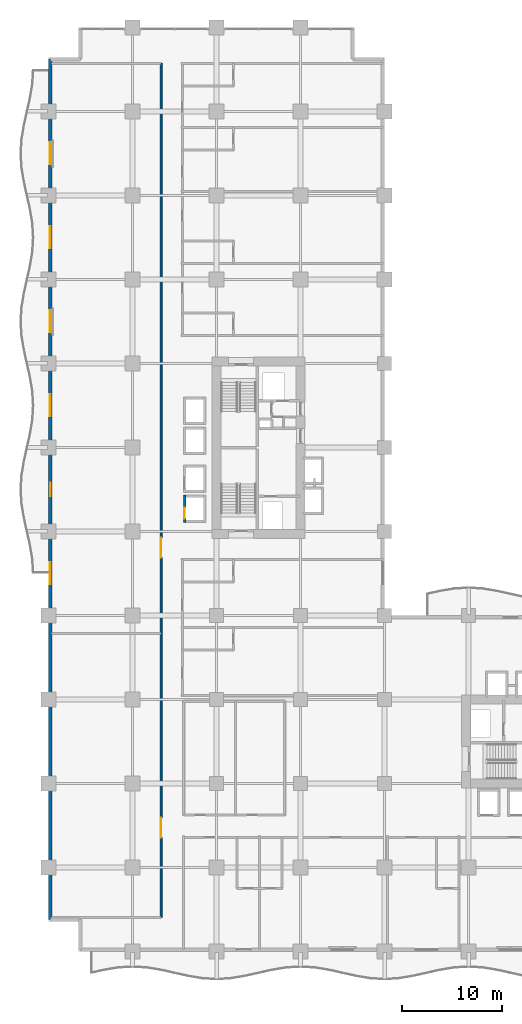
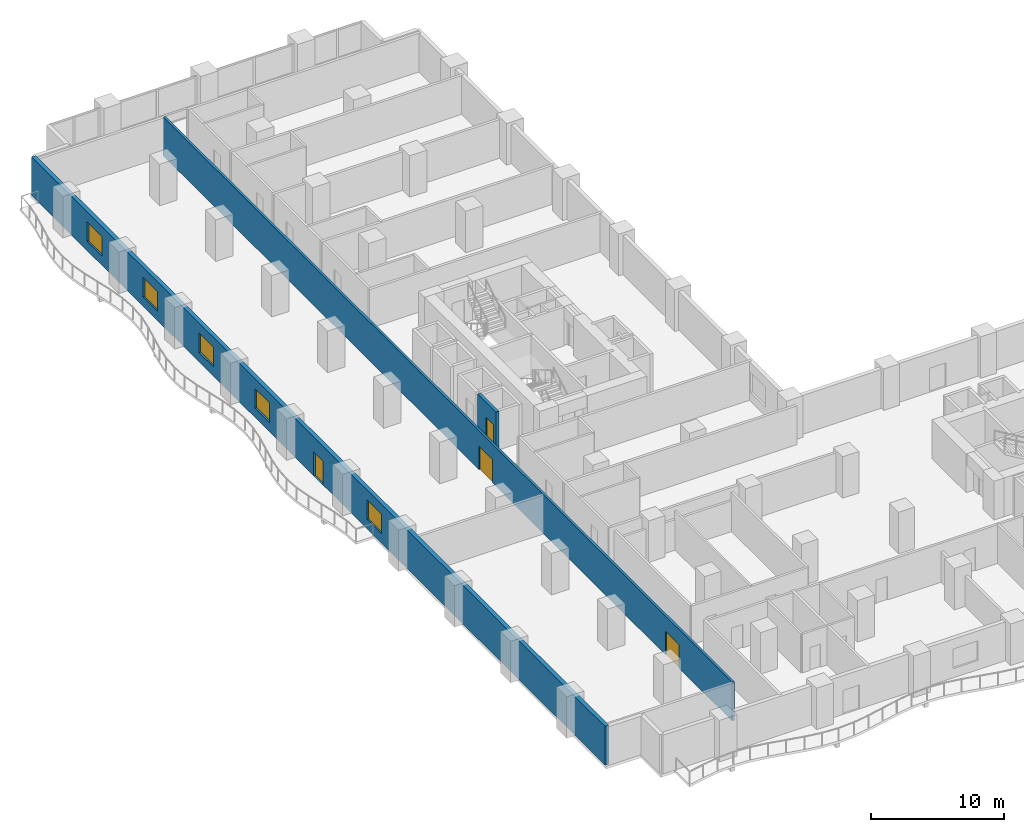
# One storey, part 11 of 22: 5 windows, 4 doors, 3 walls, 9 openings.
"""IFC4 building model written with IfcOpenShell, lengths in metres."""

from ifc_helpers import new_model, si_unit, direction, frame, frame_2d, origin, place, context, subcontext, project, spatial, rectangle, extrude, material, layer, layer_set, type_object, element, fill, save


model = new_model("IFC4")

# Units and contexts
model_context = context("Model", 3, precision=1e-05, world=origin(), true_north=direction((0.0, 1.0)))
body_context = subcontext(model_context, "Body", "Model", "MODEL_VIEW")
ifc_project = project(units=[si_unit("LENGTHUNIT", "METRE"), si_unit("AREAUNIT", "SQUARE_METRE"), si_unit("VOLUMEUNIT", "CUBIC_METRE"), si_unit("PLANEANGLEUNIT", "RADIAN"), si_unit("MASSUNIT", "GRAM", prefix="KILO")], contexts=[model_context])

# Site, building, storey
site_placement = place(None, origin())
site = spatial("IfcSite", under=ifc_project, at=site_placement, CompositionType="ELEMENT")
building_placement = place(site_placement, origin())
building = spatial("IfcBuilding", under=site, at=building_placement, Name="Koriwani Terraces Tower", CompositionType="ELEMENT")
storey_placement = place(building_placement, frame((0.0, 0.0, 62.39990234375)))
storey = spatial("IfcBuildingStorey", under=building, at=storey_placement, Name="L14", CompositionType="ELEMENT", Elevation=62.39990234375)

# Wall, openings, doors
ifc_material_1 = material(Name="Autoclaved Cellular Concrete Blockwork", Category="masonry")
ifc_layer_1 = layer(ifc_material_1, 0.199951171875, Name="Autoclaved Cellular Concrete Blockwork")
ifc_layer_set_1 = layer_set([ifc_layer_1], Name="Autoclaved Cellular Concrete Blockwork")
wall_type_1 = type_object("IfcWallType", Name="WALL_CORRIDOR_200", PredefinedType="PARTITIONING", material=ifc_layer_set_1)
wall_1_placement = place(storey_placement, frame((11.25, 3.39990234375, 0.0), z_axis=(0.0, 0.0, 1.0), x_axis=(0.0, 1.0, 0.0)))
wall_1 = element("IfcWall", 1, at=wall_1_placement, inside=storey, type_object=wall_type_1, Name="L14 Interior Wall WZ1NWCL-L14", PredefinedType="PARTITIONING", context=body_context, shape_type="SweptSolid", body=[
    extrude(rectangle(XDim=85.400146484375, YDim=0.199951171875, at=frame_2d((42.7001953125, 0.0))), origin(), (0.0, 0.0, 1.0), 3.550048828125),
])
opening_1_placement = place(wall_1_placement, frame((8.0, 0.0, 0.0)))
opening_1 = element("IfcOpeningElement", 2, at=opening_1_placement, cuts=wall_1, Name="Opening D-02", PredefinedType="OPENING", context=body_context, shape_type="SweptSolid", body=[
    extrude(rectangle(XDim=2.0, YDim=2.14990234375, at=frame_2d((1.0, 1.074951171875))), frame((0.0, 0.10986328125, 0.0), z_axis=(0.0, -1.0, 0.0), x_axis=(1.0, 0.0, 0.0)), (0.0, 0.0, 1.0), 0.219970703125),
])
opening_2_placement = place(wall_1_placement, frame((36.0, 0.0, 0.0)))
opening_2 = element("IfcOpeningElement", 3, at=opening_2_placement, cuts=wall_1, Name="Opening D-02", PredefinedType="OPENING", context=body_context, shape_type="SweptSolid", body=[
    extrude(rectangle(XDim=2.0, YDim=2.14990234375, at=frame_2d((1.0, 1.074951171875))), frame((0.0, 0.10986328125, 0.0), z_axis=(0.0, -1.0, 0.0), x_axis=(1.0, 0.0, 0.0)), (0.0, 0.0, 1.0), 0.219970703125),
])
ifc_material_2 = material(Name="Anodised Bronze Aluminium", Category="aluminium")
door_type_1 = type_object("IfcDoorType", Name="DOOR_ENTRANCE_DOUBLE_2000X2400", OperationType="NOTDEFINED", PredefinedType="DOOR", material=ifc_material_2)
door_1_placement = place(opening_1_placement, origin())
door_1 = element("IfcDoor", 4, at=door_1_placement, inside=storey, type_object=door_type_1, Name="L14 Hotel Spa Wellness Hall Door", OperationType="SINGLE_SWING_RIGHT", OverallHeight=2.14990234375, OverallWidth=2.0, PredefinedType="DOOR", context=body_context, shape_type="SweptSolid", body=[
    extrude(rectangle(XDim=2.0, YDim=2.14990234375, at=frame_2d((1.0, 1.074951171875))), frame((0.0, 0.02490234375, 0.0), z_axis=(0.0, -1.0, 0.0), x_axis=(1.0, 0.0, 0.0)), (0.0, 0.0, 1.0), 0.050048828125),
])
fill(opening_1, door_1)
door_2_placement = place(opening_2_placement, origin())
door_2 = element("IfcDoor", 5, at=door_2_placement, inside=storey, type_object=door_type_1, Name="L14 Hotel Cinema Conference Door", OperationType="SINGLE_SWING_LEFT", OverallHeight=2.14990234375, OverallWidth=2.0, PredefinedType="DOOR", context=body_context, shape_type="SweptSolid", body=[
    extrude(rectangle(XDim=2.0, YDim=2.14990234375, at=frame_2d((1.0, 1.074951171875))), frame((0.0, 0.02490234375, 0.0), z_axis=(0.0, -1.0, 0.0), x_axis=(1.0, 0.0, 0.0)), (0.0, 0.0, 1.0), 0.050048828125),
])
fill(opening_2, door_2)

# Wall, openings, door, windows
ifc_material_3 = material(Name="Concrete C50/60", Category="concrete")
ifc_layer_2 = layer(ifc_material_3, 0.35009765625, Name="Concrete C50/60")
ifc_layer_set_2 = layer_set([ifc_layer_2], Name="Concrete C50/60")
wall_type_2 = type_object("IfcWallType", Name="WALL_EXT_BRUTALIST_350", PredefinedType="STANDARD", material=ifc_layer_set_2)
wall_2_placement = place(storey_placement, frame((0.175048828125, 3.175048828125, 0.0), z_axis=(0.0, 0.0, 1.0), x_axis=(0.0, 1.0, 0.0)))
wall_2 = element("IfcWall", 6, at=wall_2_placement, inside=storey, type_object=wall_type_2, Name="L14 Fair-Faced Brutalist Exterior Wall (W)", PredefinedType="STANDARD", context=body_context, shape_type="SweptSolid", body=[
    extrude(rectangle(XDim=86.050048828125, YDim=0.35009765625, at=frame_2d((43.02490234375, 0.0))), origin(), (0.0, 0.0, 1.0), 3.550048828125),
])
opening_3_placement = place(wall_2_placement, frame((42.324951171875, 0.0, 0.0)))
opening_3 = element("IfcOpeningElement", 7, at=opening_3_placement, cuts=wall_2, Name="Opening D-09", PredefinedType="OPENING", context=body_context, shape_type="SweptSolid", body=[
    extrude(rectangle(XDim=1.39990234375, YDim=2.199951171875, at=frame_2d((0.699951171875, 1.10009765625))), frame((0.0, 0.18505859375, 0.0), z_axis=(0.0, -1.0, 0.0), x_axis=(1.0, 0.0, 0.0)), (0.0, 0.0, 1.0), 0.3701171875),
])
opening_4_placement = place(wall_2_placement, frame((33.52490234375, 0.0, 0.85009765625)))
opening_4 = element("IfcOpeningElement", 8, at=opening_4_placement, cuts=wall_2, Name="Opening W-01", PredefinedType="OPENING", context=body_context, shape_type="SweptSolid", body=[
    extrude(rectangle(XDim=2.199951171875, YDim=1.800048828125, at=frame_2d((1.10009765625, 0.89990234375))), frame((0.0, 0.18505859375, 0.0), z_axis=(0.0, -1.0, 0.0), x_axis=(1.0, 0.0, 0.0)), (0.0, 0.0, 1.0), 0.3701171875),
])
opening_5_placement = place(wall_2_placement, frame((50.324951171875, 0.0, 0.85009765625)))
opening_5 = element("IfcOpeningElement", 9, at=opening_5_placement, cuts=wall_2, Name="Opening W-01", PredefinedType="OPENING", context=body_context, shape_type="SweptSolid", body=[
    extrude(rectangle(XDim=2.199951171875, YDim=1.800048828125, at=frame_2d((1.10009765625, 0.89990234375))), frame((0.0, 0.18505859375, 0.0), z_axis=(0.0, -1.0, 0.0), x_axis=(1.0, 0.0, 0.0)), (0.0, 0.0, 1.0), 0.3701171875),
])
opening_6_placement = place(wall_2_placement, frame((58.72509765625, 0.0, 0.85009765625)))
opening_6 = element("IfcOpeningElement", 10, at=opening_6_placement, cuts=wall_2, Name="Opening W-01", PredefinedType="OPENING", context=body_context, shape_type="SweptSolid", body=[
    extrude(rectangle(XDim=2.199951171875, YDim=1.800048828125, at=frame_2d((1.10009765625, 0.89990234375))), frame((0.0, 0.18505859375, 0.0), z_axis=(0.0, -1.0, 0.0), x_axis=(1.0, 0.0, 0.0)), (0.0, 0.0, 1.0), 0.3701171875),
])
opening_7_placement = place(wall_2_placement, frame((67.125, 0.0, 0.85009765625)))
opening_7 = element("IfcOpeningElement", 11, at=opening_7_placement, cuts=wall_2, Name="Opening W-01", PredefinedType="OPENING", context=body_context, shape_type="SweptSolid", body=[
    extrude(rectangle(XDim=2.199951171875, YDim=1.800048828125, at=frame_2d((1.10009765625, 0.89990234375))), frame((0.0, 0.18505859375, 0.0), z_axis=(0.0, -1.0, 0.0), x_axis=(1.0, 0.0, 0.0)), (0.0, 0.0, 1.0), 0.3701171875),
])
opening_8_placement = place(wall_2_placement, frame((75.52490234375, 0.0, 0.85009765625)))
opening_8 = element("IfcOpeningElement", 12, at=opening_8_placement, cuts=wall_2, Name="Opening W-01", PredefinedType="OPENING", context=body_context, shape_type="SweptSolid", body=[
    extrude(rectangle(XDim=2.199951171875, YDim=1.800048828125, at=frame_2d((1.10009765625, 0.89990234375))), frame((0.0, 0.18505859375, 0.0), z_axis=(0.0, -1.0, 0.0), x_axis=(1.0, 0.0, 0.0)), (0.0, 0.0, 1.0), 0.3701171875),
])
door_type_2 = type_object("IfcDoorType", Name="DOOR_BALCONY_GLAZED_1400X2200", OperationType="NOTDEFINED", PredefinedType="DOOR", material=ifc_material_2)
door_3_placement = place(opening_3_placement, origin())
door_3 = element("IfcDoor", 13, at=door_3_placement, inside=storey, type_object=door_type_2, Name="L14 West Balcony Glazed Door", OperationType="SINGLE_SWING_LEFT", OverallHeight=2.199951171875, OverallWidth=1.39990234375, PredefinedType="DOOR", context=body_context, shape_type="SweptSolid", body=[
    extrude(rectangle(XDim=1.39990234375, YDim=2.199951171875, at=frame_2d((0.699951171875, 1.10009765625))), frame((0.0, 0.02490234375, 0.0), z_axis=(0.0, -1.0, 0.0), x_axis=(1.0, 0.0, 0.0)), (0.0, 0.0, 1.0), 0.050048828125),
])
fill(opening_3, door_3)
ifc_material_4 = material(Name="Tempered Laminated Low-E Glass", Category="glass")
window_type = type_object("IfcWindowType", Name="WIN_HOTEL_STD_2200X1800", PartitioningType="DOUBLE_PANEL_VERTICAL", PredefinedType="WINDOW", material=ifc_material_4)
window_1_placement = place(opening_4_placement, origin())
window_1 = element("IfcWindow", 14, at=window_1_placement, inside=storey, type_object=window_type, Name="L14 Exterior Window (W-12)", OverallHeight=1.800048828125, OverallWidth=2.199951171875, PartitioningType="SINGLE_PANEL", PredefinedType="WINDOW", context=body_context, shape_type="SweptSolid", body=[
    extrude(rectangle(XDim=2.199951171875, YDim=1.800048828125, at=frame_2d((1.10009765625, 0.89990234375))), frame((0.0, 0.030029296875, 0.0), z_axis=(0.0, -1.0, 0.0), x_axis=(1.0, 0.0, 0.0)), (0.0, 0.0, 1.0), 0.06005859375),
])
fill(opening_4, window_1)
window_2_placement = place(opening_5_placement, origin())
window_2 = element("IfcWindow", 15, at=window_2_placement, inside=storey, type_object=window_type, Name="L14 Exterior Window (W-18)", OverallHeight=1.800048828125, OverallWidth=2.199951171875, PartitioningType="SINGLE_PANEL", PredefinedType="WINDOW", context=body_context, shape_type="SweptSolid", body=[
    extrude(rectangle(XDim=2.199951171875, YDim=1.800048828125, at=frame_2d((1.10009765625, 0.89990234375))), frame((0.0, 0.030029296875, 0.0), z_axis=(0.0, -1.0, 0.0), x_axis=(1.0, 0.0, 0.0)), (0.0, 0.0, 1.0), 0.06005859375),
])
fill(opening_5, window_2)
window_3_placement = place(opening_6_placement, origin())
window_3 = element("IfcWindow", 16, at=window_3_placement, inside=storey, type_object=window_type, Name="L14 Exterior Window (W-21)", OverallHeight=1.800048828125, OverallWidth=2.199951171875, PartitioningType="SINGLE_PANEL", PredefinedType="WINDOW", context=body_context, shape_type="SweptSolid", body=[
    extrude(rectangle(XDim=2.199951171875, YDim=1.800048828125, at=frame_2d((1.10009765625, 0.89990234375))), frame((0.0, 0.030029296875, 0.0), z_axis=(0.0, -1.0, 0.0), x_axis=(1.0, 0.0, 0.0)), (0.0, 0.0, 1.0), 0.06005859375),
])
fill(opening_6, window_3)
window_4_placement = place(opening_7_placement, origin())
window_4 = element("IfcWindow", 17, at=window_4_placement, inside=storey, type_object=window_type, Name="L14 Exterior Window (W-24)", OverallHeight=1.800048828125, OverallWidth=2.199951171875, PartitioningType="SINGLE_PANEL", PredefinedType="WINDOW", context=body_context, shape_type="SweptSolid", body=[
    extrude(rectangle(XDim=2.199951171875, YDim=1.800048828125, at=frame_2d((1.10009765625, 0.89990234375))), frame((0.0, 0.030029296875, 0.0), z_axis=(0.0, -1.0, 0.0), x_axis=(1.0, 0.0, 0.0)), (0.0, 0.0, 1.0), 0.06005859375),
])
fill(opening_7, window_4)
window_5_placement = place(opening_8_placement, origin())
window_5 = element("IfcWindow", 18, at=window_5_placement, inside=storey, type_object=window_type, Name="L14 Exterior Window (W-27)", OverallHeight=1.800048828125, OverallWidth=2.199951171875, PartitioningType="SINGLE_PANEL", PredefinedType="WINDOW", context=body_context, shape_type="SweptSolid", body=[
    extrude(rectangle(XDim=2.199951171875, YDim=1.800048828125, at=frame_2d((1.10009765625, 0.89990234375))), frame((0.0, 0.030029296875, 0.0), z_axis=(0.0, -1.0, 0.0), x_axis=(1.0, 0.0, 0.0)), (0.0, 0.0, 1.0), 0.06005859375),
])
fill(opening_8, window_5)

# Wall, opening, door
ifc_material_5 = material(Name="Concrete C40/50", Category="concrete")
ifc_layer_3 = layer(ifc_material_5, 0.25, Name="Concrete C40/50")
ifc_layer_set_3 = layer_set([ifc_layer_3], Name="Concrete C40/50")
wall_type_3 = type_object("IfcWallType", Name="WALL_SHAFT_RATED_250", PredefinedType="SOLIDWALL", material=ifc_layer_set_3)
wall_3_placement = place(storey_placement, frame((13.60009765625, 42.875, 0.0), z_axis=(0.0, 0.0, 1.0), x_axis=(0.0, 1.0, 0.0)))
wall_3 = element("IfcWall", 19, at=wall_3_placement, inside=storey, type_object=wall_type_3, Name="L14 Interior Wall WIN-LF-PE-L1-L14-F", PredefinedType="SOLIDWALL", context=body_context, shape_type="SweptSolid", body=[
    extrude(rectangle(XDim=2.75, YDim=0.25, at=frame_2d((1.375, 0.0))), origin(), (0.0, 0.0, 1.0), 3.550048828125),
])
opening_9_placement = place(wall_3_placement, frame((0.39990234375, 0.0, 0.0)))
opening_9 = element("IfcOpeningElement", 20, at=opening_9_placement, cuts=wall_3, Name="Opening LD-01", PredefinedType="OPENING", context=body_context, shape_type="SweptSolid", body=[
    extrude(rectangle(XDim=1.10009765625, YDim=2.14990234375, at=frame_2d((0.550048828125, 1.074951171875))), frame((0.0, 0.135009765625, 0.0), z_axis=(0.0, -1.0, 0.0), x_axis=(1.0, 0.0, 0.0)), (0.0, 0.0, 1.0), 0.27001953125),
])
ifc_material_6 = material(Name="Steel ASTM A572 Grade 50", Category="steel")
door_type_3 = type_object("IfcDoorType", Name="DOOR_LIFT_LANDING_1100X2200", OperationType="NOTDEFINED", PredefinedType="DOOR", material=ifc_material_6)
door_4_placement = place(opening_9_placement, origin())
door_4 = element("IfcDoor", 21, at=door_4_placement, inside=storey, type_object=door_type_3, Name="L14 Passenger Lift PE-L1 Landing Door", OperationType="SLIDING_TO_LEFT", OverallHeight=2.14990234375, OverallWidth=1.10009765625, PredefinedType="DOOR", context=body_context, shape_type="SweptSolid", body=[
    extrude(rectangle(XDim=1.10009765625, YDim=2.14990234375, at=frame_2d((0.550048828125, 1.074951171875))), frame((0.0, 0.02490234375, 0.0), z_axis=(0.0, -1.0, 0.0), x_axis=(1.0, 0.0, 0.0)), (0.0, 0.0, 1.0), 0.050048828125),
])
fill(opening_9, door_4)

save(model, "model.ifc")
